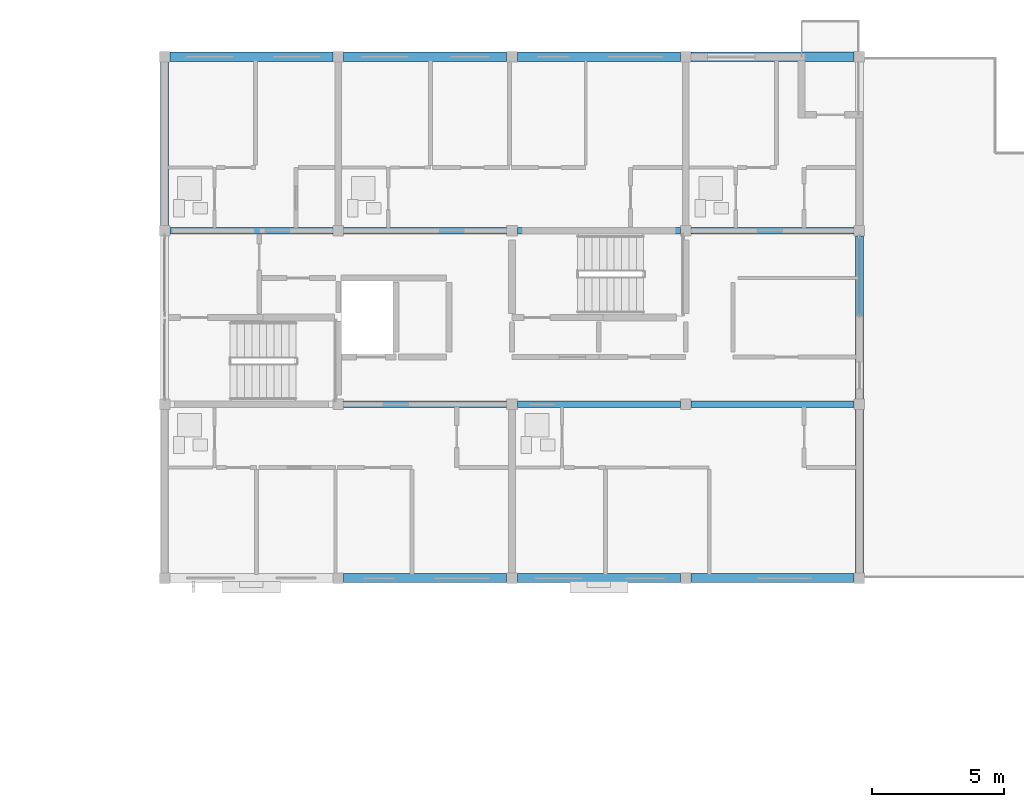
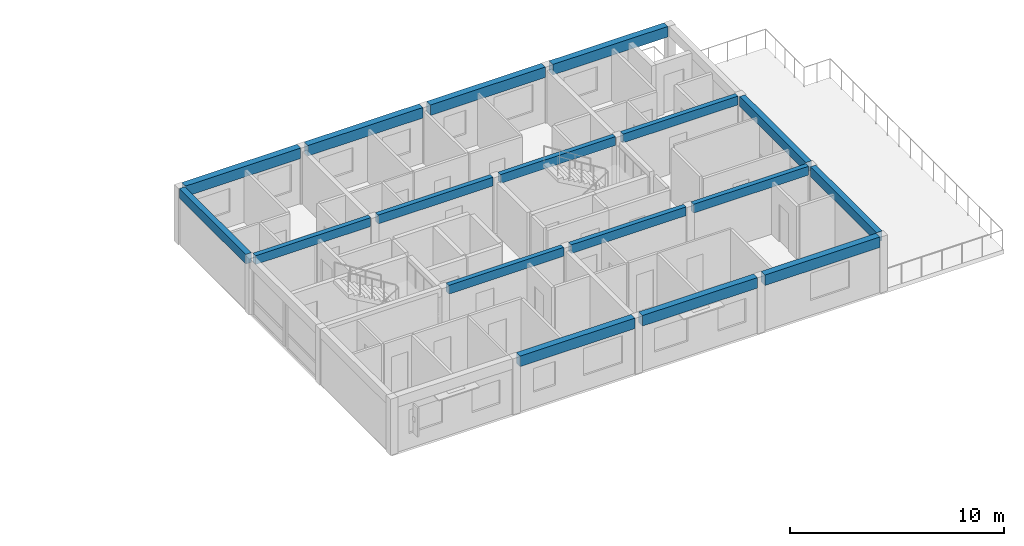
# One storey, part 7 of 22: 17 beams.
"""IFC4 building model written with IfcOpenShell, lengths in metres."""

from ifc_helpers import new_model, si_unit, direction, frame, origin, origin_2d, place, context, subcontext, project, spatial, rectangle, extrude, material, material_profile, profile_set, type_object, element, save


model = new_model("IFC4")

# Units and contexts
model_context = context("Model", 3, precision=1e-05, world=origin(), true_north=direction((0.0, 1.0)))
body_context = subcontext(model_context, "Body", "Model", "MODEL_VIEW")
ifc_project = project(units=[si_unit("LENGTHUNIT", "METRE"), si_unit("AREAUNIT", "SQUARE_METRE"), si_unit("VOLUMEUNIT", "CUBIC_METRE"), si_unit("PLANEANGLEUNIT", "RADIAN"), si_unit("MASSUNIT", "GRAM", prefix="KILO")], contexts=[model_context])

# Site, building, storey
site_placement = place(None, origin())
site = spatial("IfcSite", under=ifc_project, at=site_placement, CompositionType="ELEMENT")
building_placement = place(site_placement, origin())
building = spatial("IfcBuilding", under=site, at=building_placement, Name="Kernevlak Ridge Housing Community", CompositionType="ELEMENT")
storey_placement = place(building_placement, frame((0.0, 0.0, 43.60009765625)))
storey = spatial("IfcBuildingStorey", under=building, at=storey_placement, Name="L13", CompositionType="ELEMENT", Elevation=43.60009765625)

# Beams
ifc_material = material(Name="Concrete C35/45", Category="concrete")
ifc_material_profile_1 = material_profile(ifc_material, rectangle(XDim=0.25, YDim=0.5, at=origin_2d()), Name="RC 250x500")
ifc_profile_set_1 = profile_set([ifc_material_profile_1], Name="Concrete C35/45")
beam_type_1 = type_object("IfcBeamType", Name="B-06", PredefinedType="T_BEAM", material=ifc_profile_set_1)
for number, where, z_axis, x_axis, name in (
    (1, (126.199951171875, 89.199951171875, 2.949951171875), (1.0, 0.0, 0.0), (0.0, 1.0, 0.0), "Beam B-06 L13 920"),
    (2, (132.800048828125, 89.199951171875, 2.949951171875), (1.0, 0.0, 0.0), (0.0, 1.0, 0.0), "Beam B-06 L13 921"),
):
    element("IfcBeam", number, at=place(storey_placement, frame(where, z_axis=z_axis, x_axis=x_axis)), inside=storey, type_object=beam_type_1, Name=name, PredefinedType="T_BEAM", context=body_context, shape_type="SweptSolid", body=[
        extrude(rectangle(XDim=0.25, YDim=0.5, at=origin_2d()), origin(), (0.0, 0.0, 1.0), 6.199951171875),
    ])
beam_1_placement = place(storey_placement, frame((139.39990234375, 89.199951171875, 2.949951171875), z_axis=(1.0, 0.0, 0.0), x_axis=(0.0, 1.0, 0.0)))
element("IfcBeam", 3, at=beam_1_placement, inside=storey, type_object=beam_type_1, Name="Beam B-06 L13 922", PredefinedType="T_BEAM", context=body_context, shape_type="SweptSolid", body=[
    extrude(rectangle(XDim=0.25, YDim=0.5, at=origin_2d()), origin(), (0.0, 0.0, 1.0), 6.2001953125),
])
for number, where, z_axis, x_axis, name in (
    (4, (119.60009765625, 95.800048828125, 2.949951171875), (1.0, 0.0, 0.0), (0.0, 1.0, 0.0), "Beam B-06 L13 923"),
    (5, (126.199951171875, 95.800048828125, 2.949951171875), (1.0, 0.0, 0.0), (0.0, 1.0, 0.0), "Beam B-06 L13 924"),
    (6, (132.800048828125, 95.800048828125, 2.949951171875), (1.0, 0.0, 0.0), (0.0, 1.0, 0.0), "Beam B-06 L13 925"),
):
    element("IfcBeam", number, at=place(storey_placement, frame(where, z_axis=z_axis, x_axis=x_axis)), inside=storey, type_object=beam_type_1, Name=name, PredefinedType="T_BEAM", context=body_context, shape_type="SweptSolid", body=[
        extrude(rectangle(XDim=0.25, YDim=0.5, at=origin_2d()), origin(), (0.0, 0.0, 1.0), 6.199951171875),
    ])
beam_2_placement = place(storey_placement, frame((139.39990234375, 95.800048828125, 2.949951171875), z_axis=(1.0, 0.0, 0.0), x_axis=(0.0, 1.0, 0.0)))
element("IfcBeam", 7, at=beam_2_placement, inside=storey, type_object=beam_type_1, Name="Beam B-06 L13 926", PredefinedType="T_BEAM", context=body_context, shape_type="SweptSolid", body=[
    extrude(rectangle(XDim=0.25, YDim=0.5, at=origin_2d()), origin(), (0.0, 0.0, 1.0), 6.2001953125),
])
ifc_material_profile_2 = material_profile(ifc_material, rectangle(XDim=0.300048828125, YDim=0.550048828125, at=origin_2d()), Name="RC 300x550")
ifc_profile_set_2 = profile_set([ifc_material_profile_2], Name="Concrete C35/45")
beam_type_2 = type_object("IfcBeamType", Name="SP-01", PredefinedType="SPANDREL", material=ifc_profile_set_2)
for number, where, z_axis, x_axis, name in (
    (8, (119.39990234375, 96.0, 2.9248046875), (0.0, 1.0, 0.0), (-1.0, 0.0, 0.0), "Beam SP-01 L13 933"),
    (9, (145.800048828125, 82.800048828125, 2.9248046875), (0.0, 1.0, 0.0), (-1.0, 0.0, 0.0), "Beam SP-01 L13 934"),
):
    element("IfcBeam", number, at=place(storey_placement, frame(where, z_axis=z_axis, x_axis=x_axis)), inside=storey, type_object=beam_type_2, Name=name, PredefinedType="SPANDREL", context=body_context, shape_type="SweptSolid", body=[
        extrude(rectangle(XDim=0.300048828125, YDim=0.550048828125, at=origin_2d()), origin(), (0.0, 0.0, 1.0), 6.199951171875),
    ])
beam_3_placement = place(storey_placement, frame((145.800048828125, 89.39990234375, 2.9248046875), z_axis=(0.0, 1.0, 0.0), x_axis=(-1.0, 0.0, 0.0)))
element("IfcBeam", 10, at=beam_3_placement, inside=storey, type_object=beam_type_2, Name="Beam SP-01 L13 935", PredefinedType="SPANDREL", context=body_context, shape_type="SweptSolid", body=[
    extrude(rectangle(XDim=0.300048828125, YDim=0.550048828125, at=origin_2d()), origin(), (0.0, 0.0, 1.0), 6.2001953125),
])
ifc_material_profile_3 = material_profile(ifc_material, rectangle(XDim=0.35009765625, YDim=0.60009765625, at=origin_2d()), Name="RC 350x600")
ifc_profile_set_3 = profile_set([ifc_material_profile_3], Name="Concrete C35/45")
beam_type_3 = type_object("IfcBeamType", Name="SP-03", PredefinedType="SPANDREL", material=ifc_profile_set_3)
for number, where, z_axis, x_axis, name in (
    (11, (126.199951171875, 82.60009765625, 2.89990234375), (1.0, 0.0, 0.0), (0.0, 1.0, 0.0), "Beam SP-03 L13 916"),
    (12, (132.800048828125, 82.60009765625, 2.89990234375), (1.0, 0.0, 0.0), (0.0, 1.0, 0.0), "Beam SP-03 L13 917"),
):
    element("IfcBeam", number, at=place(storey_placement, frame(where, z_axis=z_axis, x_axis=x_axis)), inside=storey, type_object=beam_type_3, Name=name, PredefinedType="SPANDREL", context=body_context, shape_type="SweptSolid", body=[
        extrude(rectangle(XDim=0.35009765625, YDim=0.60009765625, at=origin_2d()), origin(), (0.0, 0.0, 1.0), 6.199951171875),
    ])
beam_4_placement = place(storey_placement, frame((139.39990234375, 82.60009765625, 2.89990234375), z_axis=(1.0, 0.0, 0.0), x_axis=(0.0, 1.0, 0.0)))
element("IfcBeam", 13, at=beam_4_placement, inside=storey, type_object=beam_type_3, Name="Beam SP-03 L13 918", PredefinedType="SPANDREL", context=body_context, shape_type="SweptSolid", body=[
    extrude(rectangle(XDim=0.35009765625, YDim=0.60009765625, at=origin_2d()), origin(), (0.0, 0.0, 1.0), 6.2001953125),
])
for number, where, z_axis, x_axis, name in (
    (14, (119.60009765625, 102.39990234375, 2.89990234375), (1.0, 0.0, 0.0), (0.0, 1.0, 0.0), "Beam SP-03 L13 927"),
    (15, (126.199951171875, 102.39990234375, 2.89990234375), (1.0, 0.0, 0.0), (0.0, 1.0, 0.0), "Beam SP-03 L13 928"),
    (16, (132.800048828125, 102.39990234375, 2.89990234375), (1.0, 0.0, 0.0), (0.0, 1.0, 0.0), "Beam SP-03 L13 929"),
):
    element("IfcBeam", number, at=place(storey_placement, frame(where, z_axis=z_axis, x_axis=x_axis)), inside=storey, type_object=beam_type_3, Name=name, PredefinedType="SPANDREL", context=body_context, shape_type="SweptSolid", body=[
        extrude(rectangle(XDim=0.35009765625, YDim=0.60009765625, at=origin_2d()), origin(), (0.0, 0.0, 1.0), 6.199951171875),
    ])
beam_5_placement = place(storey_placement, frame((139.39990234375, 102.39990234375, 2.89990234375), z_axis=(1.0, 0.0, 0.0), x_axis=(0.0, 1.0, 0.0)))
element("IfcBeam", 17, at=beam_5_placement, inside=storey, type_object=beam_type_3, Name="Beam SP-03 L13 930", PredefinedType="SPANDREL", context=body_context, shape_type="SweptSolid", body=[
    extrude(rectangle(XDim=0.35009765625, YDim=0.60009765625, at=origin_2d()), origin(), (0.0, 0.0, 1.0), 6.2001953125),
])

save(model, "model.ifc")
